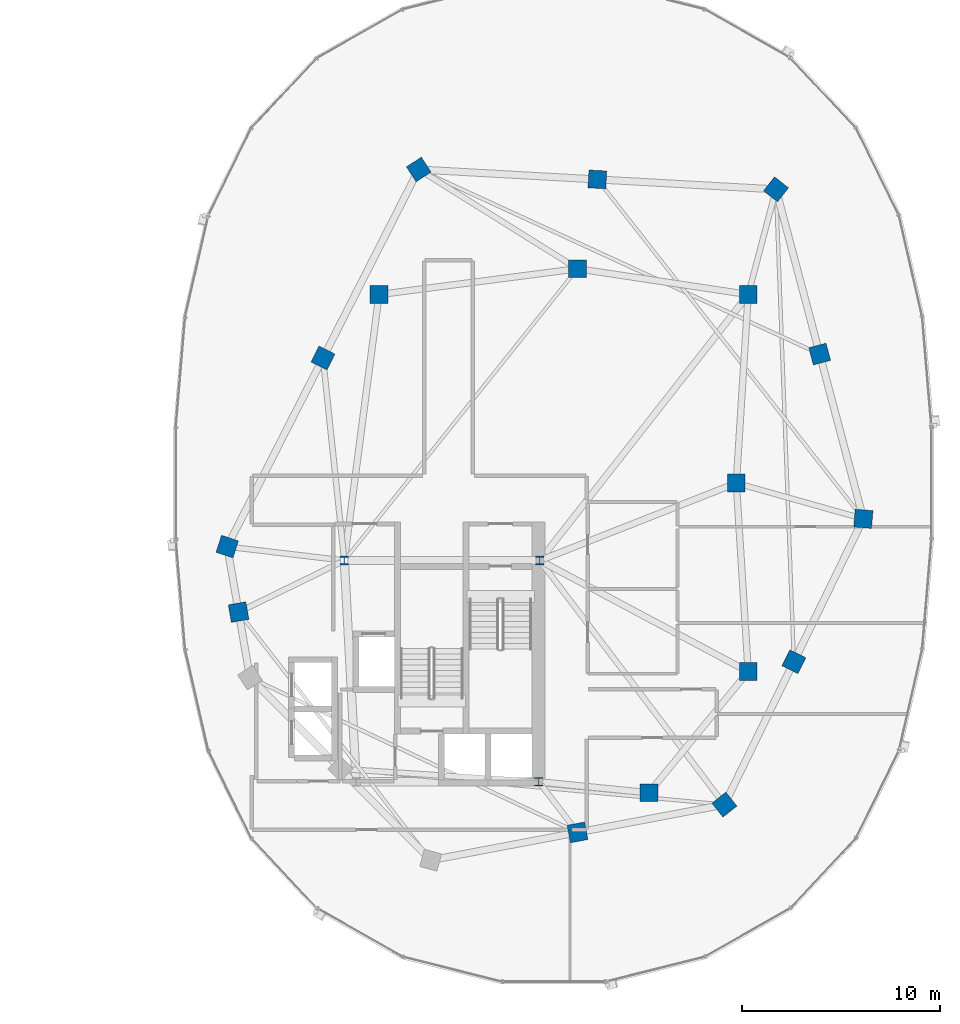
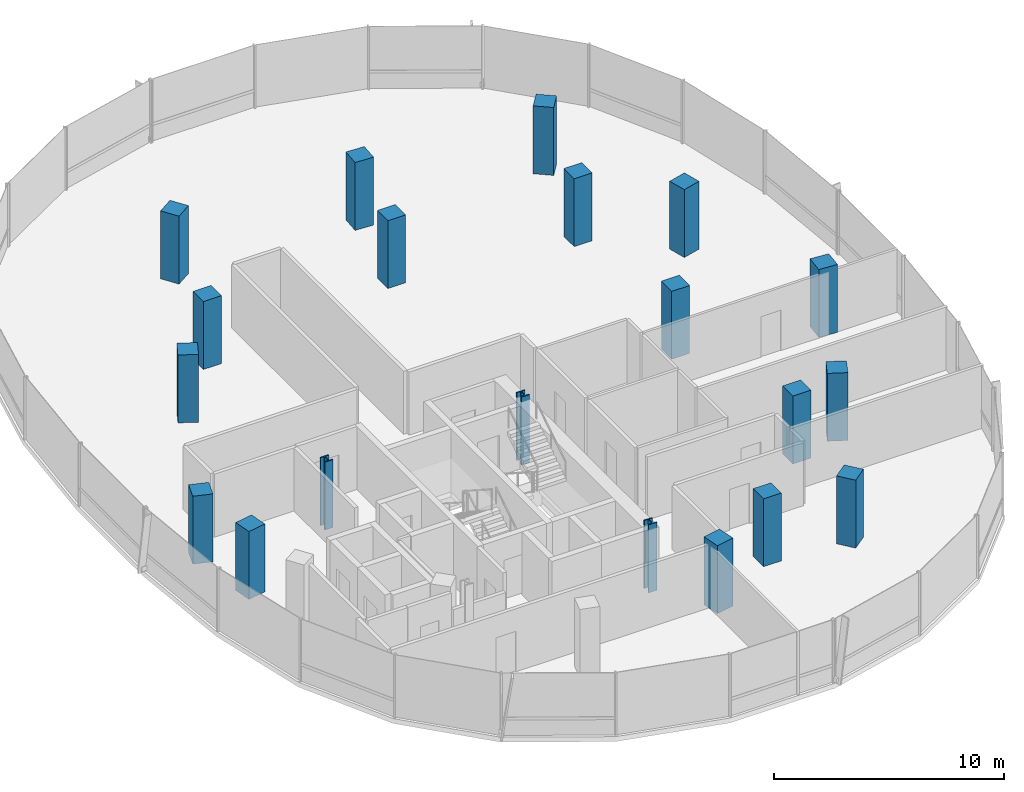
# One storey, part 2 of 25: 20 columns.
"""IFC4 building model written with IfcOpenShell, lengths in metres."""

from ifc_helpers import new_model, si_unit, direction, frame, origin, origin_2d, place, context, subcontext, project, spatial, rectangle, i_section, extrude, material, material_profile, profile_set, type_object, element, save


model = new_model("IFC4")

# Units and contexts
model_context = context("Model", 3, precision=1e-05, world=origin(), true_north=direction((0.0, 1.0)))
body_context = subcontext(model_context, "Body", "Model", "MODEL_VIEW")
ifc_project = project(units=[si_unit("LENGTHUNIT", "METRE"), si_unit("AREAUNIT", "SQUARE_METRE"), si_unit("VOLUMEUNIT", "CUBIC_METRE"), si_unit("PLANEANGLEUNIT", "RADIAN"), si_unit("MASSUNIT", "GRAM", prefix="KILO"), si_unit("THERMODYNAMICTEMPERATUREUNIT", "KELVIN"), si_unit("POWERUNIT", "WATT")], contexts=[model_context])

# Site, building, storey
site_placement = place(None, origin())
site = spatial("IfcSite", under=ifc_project, at=site_placement, CompositionType="ELEMENT")
building_placement = place(site_placement, origin())
building = spatial("IfcBuilding", under=site, at=building_placement, Name="Cundina Bronze Exchange", CompositionType="ELEMENT")
storey_placement = place(building_placement, frame((0.0, 0.0, 195.39990234375)))
storey = spatial("IfcBuildingStorey", under=building, at=storey_placement, Name="L51", CompositionType="ELEMENT", Elevation=195.39990234375)

# Columns
ifc_material_1 = material(Name="Steel ASTM A992 Grade 50", Category="steel")
ifc_material_profile_1 = material_profile(ifc_material_1, i_section(OverallWidth=0.416015625, OverallDepth=0.446044921875, WebThickness=0.0390625, FlangeThickness=0.062744140625, FilletRadius=0.01806640625, at=origin_2d()), Name="W14X342", Category="steel")
ifc_profile_set_1 = profile_set([ifc_material_profile_1], Name="Steel ASTM A992 Grade 50")
column_type_1 = type_object("IfcColumnType", Name="COL-STL-W14B", PredefinedType="COLUMN", material=ifc_profile_set_1)
for number, where, z_axis, x_axis, name in (
    (1, (31.300048828125, -3.89990234375, 0.0), (0.0, 0.0, 1.0), (1.0, 0.0, 0.0), "L51 Core Anchor Column E1"),
    (2, (21.449951171875, -3.89990234375, 0.0), (0.0, 0.0, 1.0), (1.0, 0.0, 0.0), "L51 Core Anchor Column E2"),
    (3, (31.25, -15.050048828125, 0.0), (0.0, 0.0, 1.0), (1.0, 0.0, 0.0), "L51 Core Anchor Column E4"),
):
    element("IfcColumn", number, at=place(storey_placement, frame(where, z_axis=z_axis, x_axis=x_axis)), inside=storey, type_object=column_type_1, Name=name, PredefinedType="COLUMN", context=body_context, shape_type="SweptSolid", body=[
        extrude(i_section(OverallWidth=0.416015625, OverallDepth=0.446044921875, WebThickness=0.0390625, FlangeThickness=0.062744140625, FilletRadius=0.01806640625, at=origin_2d()), origin(), (0.0, 0.0, 1.0), 3.60009765625),
    ])
ifc_material_2 = material(Name="Concrete C50/60", Category="concrete")
ifc_material_profile_2 = material_profile(ifc_material_2, rectangle(XDim=0.89990234375, YDim=0.89990234375, at=origin_2d()), Name="RC900X900", Category="concrete")
ifc_profile_set_2 = profile_set([ifc_material_profile_2], Name="Concrete C50/60")
column_type_2 = type_object("IfcColumnType", Name="COL-Z4-900", PredefinedType="COLUMN", material=ifc_profile_set_2)
for number, where, z_axis, x_axis, name in (
    (4, (41.199951171875, 0.0, 0.0), (0.0, 0.0, 1.0), (1.0, 0.0, 0.0), "L51 E Inner Ring Column 1"),
    (5, (41.800048828125, -9.5, 0.0), (0.0, 0.0, 1.0), (1.0, 0.0, 0.0), "L51 E Inner Ring Column 2"),
    (6, (36.800048828125, -15.60009765625, 0.0), (0.0, 0.0, 1.0), (1.0, 0.0, 0.0), "L51 E Inner Ring Column 3"),
    (7, (41.800048828125, 9.5, 0.0), (0.0, 0.0, 1.0), (1.0, 0.0, 0.0), "L51 E Inner Ring Column 4"),
    (8, (33.199951171875, 10.800048828125, 0.0), (0.0, 0.0, 1.0), (1.0, 0.0, 0.0), "L51 E Inner Ring Column 5"),
    (9, (23.199951171875, 9.5, 0.0), (0.0, 0.0, 1.0), (1.0, 0.0, 0.0), "L51 E Inner Ring Column 6"),
    (10, (15.550048828125, -3.199951171875, 0.0), (0.0, 0.0, 1.0), (-0.315152163383, -0.949041155016, 0.0), "L51 E Perimeter Column 00"),
    (11, (16.125, -6.5, 0.0), (0.0, 0.0, 1.0), (0.171585221787, -0.985169280715, 0.0), "L51 E Perimeter Column 01"),
    (12, (33.199951171875, -17.60009765625, 0.0), (0.0, 0.0, 1.0), (0.98258037664, 0.185838110843, 0.0), "L51 E Perimeter Column 05"),
    (13, (40.60009765625, -16.199951171875, 0.0), (0.0, 0.0, 1.0), (0.785100778485, 0.619368038909, 0.0), "L51 E Perimeter Column 06"),
    (14, (44.10009765625, -9.0, 0.0), (0.0, 0.0, 1.0), (0.437115766651, 0.899405251566, 0.0), "L51 E Perimeter Column 07"),
    (15, (47.60009765625, -1.800048828125, 0.0), (0.0, 0.0, 1.0), (0.083503921245, 0.996507448611, 0.0), "L51 E Perimeter Column 08"),
    (16, (45.39990234375, 6.5, 0.0), (0.0, 0.0, 1.0), (-0.256289373133, 0.966600102017, 0.0), "L51 E Perimeter Column 09"),
    (17, (43.199951171875, 14.800048828125, 0.0), (0.0, 0.0, 1.0), (-0.786288432137, 0.61785961309, 0.0), "L51 E Perimeter Column 10"),
    (18, (34.199951171875, 15.300048828125, 0.0), (0.0, 0.0, 1.0), (-0.998460188734, 0.055472980025, 0.0), "L51 E Perimeter Column 11"),
    (19, (25.199951171875, 15.800048828125, 0.0), (0.0, 0.0, 1.0), (-0.838099763533, -0.545516989988, 0.0), "L51 E Perimeter Column 12"),
    (20, (20.375, 6.300048828125, 0.0), (0.0, 0.0, 1.0), (-0.452901591366, -0.891560513111, 0.0), "L51 E Perimeter Column 13"),
):
    element("IfcColumn", number, at=place(storey_placement, frame(where, z_axis=z_axis, x_axis=x_axis)), inside=storey, type_object=column_type_2, Name=name, PredefinedType="COLUMN", context=body_context, shape_type="SweptSolid", body=[
        extrude(rectangle(XDim=0.89990234375, YDim=0.89990234375, at=origin_2d()), origin(), (0.0, 0.0, 1.0), 3.60009765625),
    ])

save(model, "model.ifc")
